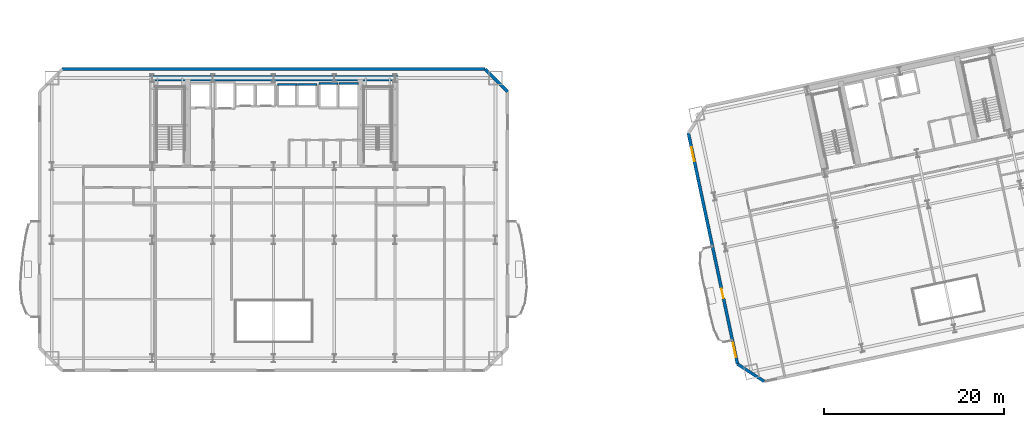
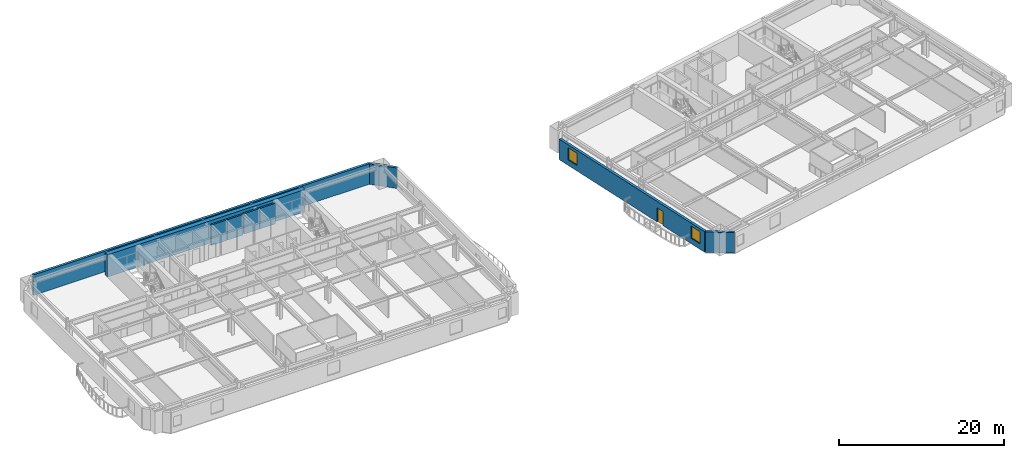
# One storey, part 7 of 15: 9 walls, 2 windows, 1 door, 3 openings.
"""IFC4 building model written with IfcOpenShell, lengths in metres."""

from ifc_helpers import new_model, si_unit, direction, frame, frame_2d, origin, place, context, subcontext, project, spatial, rectangle, extrude, material, layer, layer_set, type_object, element, fill, save


model = new_model("IFC4")

# Units and contexts
model_context = context("Model", 3, precision=1e-05, world=origin(), true_north=direction((0.0, 1.0)))
body_context = subcontext(model_context, "Body", "Model", "MODEL_VIEW")
ifc_project = project(units=[si_unit("LENGTHUNIT", "METRE"), si_unit("AREAUNIT", "SQUARE_METRE"), si_unit("VOLUMEUNIT", "CUBIC_METRE"), si_unit("PLANEANGLEUNIT", "RADIAN"), si_unit("MASSUNIT", "GRAM", prefix="KILO")], contexts=[model_context])

# Site, building, storey
site_placement = place(None, origin())
site = spatial("IfcSite", under=ifc_project, at=site_placement, CompositionType="ELEMENT")
building_placement = place(site_placement, origin())
building = spatial("IfcBuilding", under=site, at=building_placement, Name="Haevon Station Towers", CompositionType="ELEMENT")
storey_placement = place(building_placement, frame((0.0, 0.0, 63.60009765625)))
storey = spatial("IfcBuildingStorey", under=building, at=storey_placement, Name="L16", CompositionType="ELEMENT", Elevation=63.60009765625)

# Walls
ifc_material_1 = material(Name="Concrete C60/75", Category="concrete")
ifc_layer_1 = layer(ifc_material_1, 0.60009765625)
ifc_layer_set_1 = layer_set([ifc_layer_1], Name="Concrete C60/75")
wall_type_1 = type_object("IfcWallType", Name="WL-CR600", PredefinedType="SHEAR", material=ifc_layer_set_1)
wall_1_placement = place(storey_placement, frame((23.699951171875, 48.0, 0.0), z_axis=(0.0, 0.0, 1.0), x_axis=(1.0, 0.0, 0.0)))
element("IfcWall", 1, at=wall_1_placement, inside=storey, type_object=wall_type_1, Name="WL-T1CR-L16-N", PredefinedType="SHEAR", context=body_context, shape_type="SweptSolid", body=[
    extrude(rectangle(XDim=27.60009765625, YDim=0.60009765625, at=frame_2d((13.800048828125, 0.0))), origin(), (0.0, 0.0, 1.0), 3.2998046875),
])
ifc_material_2 = material(Name="Precast concrete C45/55", Category="concrete")
ifc_layer_2 = layer(ifc_material_2, 0.340087890625)
ifc_layer_set_2 = layer_set([ifc_layer_2], Name="Precast concrete C45/55")
wall_type_2 = type_object("IfcWallType", Name="WL-EXT-PIER340", PredefinedType="SOLIDWALL", material=ifc_layer_set_2)
wall_2_placement = place(storey_placement, frame((14.0, 49.0, 0.0), z_axis=(0.0, 0.0, 1.0), x_axis=(1.0, 0.0, 0.0)))
element("IfcWall", 2, at=wall_2_placement, inside=storey, type_object=wall_type_2, Name="WL-T1-L16-N", PredefinedType="SOLIDWALL", context=body_context, shape_type="SweptSolid", body=[
    extrude(rectangle(XDim=47.0, YDim=0.340087890625, at=frame_2d((23.5, 0.0))), origin(), (0.0, 0.0, 1.0), 3.02978515625),
])
wall_3_placement = place(storey_placement, frame((61.0, 49.0, 0.0), z_axis=(0.0, 0.0, 1.0), x_axis=(0.707106781187, -0.707106781187, 0.0)))
element("IfcWall", 3, at=wall_3_placement, inside=storey, type_object=wall_type_2, Name="WL-T1-L16-NEC", PredefinedType="SOLIDWALL", context=body_context, shape_type="SweptSolid", body=[
    extrude(rectangle(XDim=3.53564453125, YDim=0.340087890625, at=frame_2d((1.767822265625, 0.0))), origin(), (0.0, 0.0, 1.0), 3.02978515625),
])
wall_4_placement = place(storey_placement, frame((92.01953125, 14.28662109375, 0.0), z_axis=(0.0, 0.0, 1.0), x_axis=(-0.838672309694, 0.544636352948, 0.0)))
element("IfcWall", 4, at=wall_4_placement, inside=storey, type_object=wall_type_2, Name="WL-T2-L16-SWC", PredefinedType="SOLIDWALL", context=body_context, shape_type="SweptSolid", body=[
    extrude(rectangle(XDim=3.535400390625, YDim=0.340087890625, at=frame_2d((1.767578125, 0.0))), origin(), (0.0, 0.0, 1.0), 3.02978515625),
])

# Wall, openings, door, windows
wall_5_placement = place(storey_placement, frame((89.054443359375, 16.212158203125, 0.0), z_axis=(0.0, 0.0, 1.0), x_axis=(-0.207915485254, 0.978146794194, 0.0)))
wall_5 = element("IfcWall", 5, at=wall_5_placement, inside=storey, type_object=wall_type_2, Name="WL-T2-L16-W", PredefinedType="SOLIDWALL", context=body_context, shape_type="SweptSolid", body=[
    extrude(rectangle(XDim=26.25, YDim=0.340087890625, at=frame_2d((13.125, 0.0))), origin(), (0.0, 0.0, 1.0), 3.02978515625),
])
opening_1_placement = place(wall_5_placement, frame((7.5, 0.0, 0.0)))
opening_1 = element("IfcOpeningElement", 6, at=opening_1_placement, cuts=wall_5, Name="Opening DR-T2-SCAL-L16-W", PredefinedType="OPENING", context=body_context, shape_type="SweptSolid", body=[
    extrude(rectangle(XDim=1.050048828125, YDim=2.10009765625, at=frame_2d((0.52490234375, 1.050048828125))), frame((0.0, 0.179931640625, 0.0), z_axis=(0.0, -1.0, 0.0), x_axis=(1.0, 0.0, 0.0)), (0.0, 0.0, 1.0), 0.360107421875),
])
opening_2_placement = place(wall_5_placement, frame((0.800048828125, 0.0, 0.800048828125)))
opening_2 = element("IfcOpeningElement", 7, at=opening_2_placement, cuts=wall_5, Name="Opening WN-END160", PredefinedType="OPENING", context=body_context, shape_type="SweptSolid", body=[
    extrude(rectangle(XDim=1.60009765625, YDim=1.800048828125, at=frame_2d((0.800048828125, 0.89990234375))), frame((0.0, 0.179931640625, 0.0), z_axis=(0.0, -1.0, 0.0), x_axis=(1.0, 0.0, 0.0)), (0.0, 0.0, 1.0), 0.360107421875),
])
opening_3_placement = place(wall_5_placement, frame((23.02685546875, 0.0, 0.800048828125)))
opening_3 = element("IfcOpeningElement", 8, at=opening_3_placement, cuts=wall_5, Name="Opening WN-END160", PredefinedType="OPENING", context=body_context, shape_type="SweptSolid", body=[
    extrude(rectangle(XDim=1.60009765625, YDim=1.800048828125, at=frame_2d((0.800048828125, 0.89990234375))), frame((0.0, 0.179931640625, 0.0), z_axis=(0.0, -1.0, 0.0), x_axis=(1.0, 0.0, 0.0)), (0.0, 0.0, 1.0), 0.360107421875),
])
ifc_material_3 = material(Name="Thermally broken anodised aluminium and laminated safety glass", Category="aluminium")
door_type = type_object("IfcDoorType", Name="DR-BALC-1050", OperationType="NOTDEFINED", PredefinedType="DOOR", material=ifc_material_3)
door_placement = place(opening_1_placement, origin())
door = element("IfcDoor", 9, at=door_placement, inside=storey, type_object=door_type, Name="Tower 2 L16 West Scalloped Balcony Door", OperationType="SINGLE_SWING_LEFT", OverallHeight=2.10009765625, OverallWidth=1.050048828125, PredefinedType="DOOR", context=body_context, shape_type="SweptSolid", body=[
    extrude(rectangle(XDim=1.050048828125, YDim=2.10009765625, at=frame_2d((0.52490234375, 1.050048828125))), frame((0.0, 0.02490234375, 0.0), z_axis=(0.0, -1.0, 0.0), x_axis=(1.0, 0.0, 0.0)), (0.0, 0.0, 1.0), 0.050048828125),
])
fill(opening_1, door)
ifc_material_4 = material(Name="Low-E triple glazing in thermally broken aluminium", Category="aluminium")
window_type = type_object("IfcWindowType", Name="WN-END160", PartitioningType="SINGLE_PANEL", PredefinedType="WINDOW", material=ifc_material_4)
window_1_placement = place(opening_2_placement, origin())
window_1 = element("IfcWindow", 10, at=window_1_placement, inside=storey, type_object=window_type, Name="WN-T2-L16-W01", OverallHeight=1.800048828125, OverallWidth=1.60009765625, PartitioningType="SINGLE_PANEL", PredefinedType="WINDOW", context=body_context, shape_type="SweptSolid", body=[
    extrude(rectangle(XDim=1.60009765625, YDim=1.800048828125, at=frame_2d((0.800048828125, 0.89990234375))), frame((0.0, 0.030029296875, 0.0), z_axis=(0.0, -1.0, 0.0), x_axis=(1.0, 0.0, 0.0)), (0.0, 0.0, 1.0), 0.06005859375),
])
fill(opening_2, window_1)
window_2_placement = place(opening_3_placement, origin())
window_2 = element("IfcWindow", 11, at=window_2_placement, inside=storey, type_object=window_type, Name="WN-T2-L16-W02", OverallHeight=1.800048828125, OverallWidth=1.60009765625, PartitioningType="SINGLE_PANEL", PredefinedType="WINDOW", context=body_context, shape_type="SweptSolid", body=[
    extrude(rectangle(XDim=1.60009765625, YDim=1.800048828125, at=frame_2d((0.800048828125, 0.89990234375))), frame((0.0, 0.030029296875, 0.0), z_axis=(0.0, -1.0, 0.0), x_axis=(1.0, 0.0, 0.0)), (0.0, 0.0, 1.0), 0.06005859375),
])
fill(opening_3, window_2)

# Walls
ifc_material_5 = material(Name="Concrete C40/50", Category="concrete")
ifc_layer_3 = layer(ifc_material_5, 0.239990234375)
ifc_layer_set_3 = layer_set([ifc_layer_3], Name="Concrete C40/50")
wall_type_3 = type_object("IfcWallType", Name="WL-SHF240", PredefinedType="PARTITIONING", material=ifc_layer_set_3)
for number, where, z_axis, x_axis, name in (
    (12, (37.919921875, 47.300048828125, 0.0), (0.0, 0.0, 1.0), (1.0, 0.0, 0.0), "WL-SHF-PL3-L16-N"),
    (13, (40.169921875, 47.300048828125, 0.0), (0.0, 0.0, 1.0), (1.0, 0.0, 0.0), "WL-SHF-PL4-L16-N"),
):
    element("IfcWall", number, at=place(storey_placement, frame(where, z_axis=z_axis, x_axis=x_axis)), inside=storey, type_object=wall_type_3, Name=name, PredefinedType="PARTITIONING", context=body_context, shape_type="SweptSolid", body=[
        extrude(rectangle(XDim=2.16015625, YDim=0.239990234375, at=frame_2d((1.080078125, 0.0))), origin(), (0.0, 0.0, 1.0), 3.02978515625),
    ])
for number, where, z_axis, x_axis, name in (
    (14, (42.52001953125, 47.39990234375, 0.0), (0.0, 0.0, 1.0), (1.0, 0.0, 0.0), "WL-SHF-PL5-L16-N"),
    (15, (44.77001953125, 47.39990234375, 0.0), (0.0, 0.0, 1.0), (1.0, 0.0, 0.0), "WL-SHF-PL6-L16-N"),
):
    element("IfcWall", number, at=place(storey_placement, frame(where, z_axis=z_axis, x_axis=x_axis)), inside=storey, type_object=wall_type_3, Name=name, PredefinedType="PARTITIONING", context=body_context, shape_type="SweptSolid", body=[
        extrude(rectangle(XDim=2.159912109375, YDim=0.239990234375, at=frame_2d((1.080078125, 0.0))), origin(), (0.0, 0.0, 1.0), 3.02978515625),
    ])

save(model, "model.ifc")
